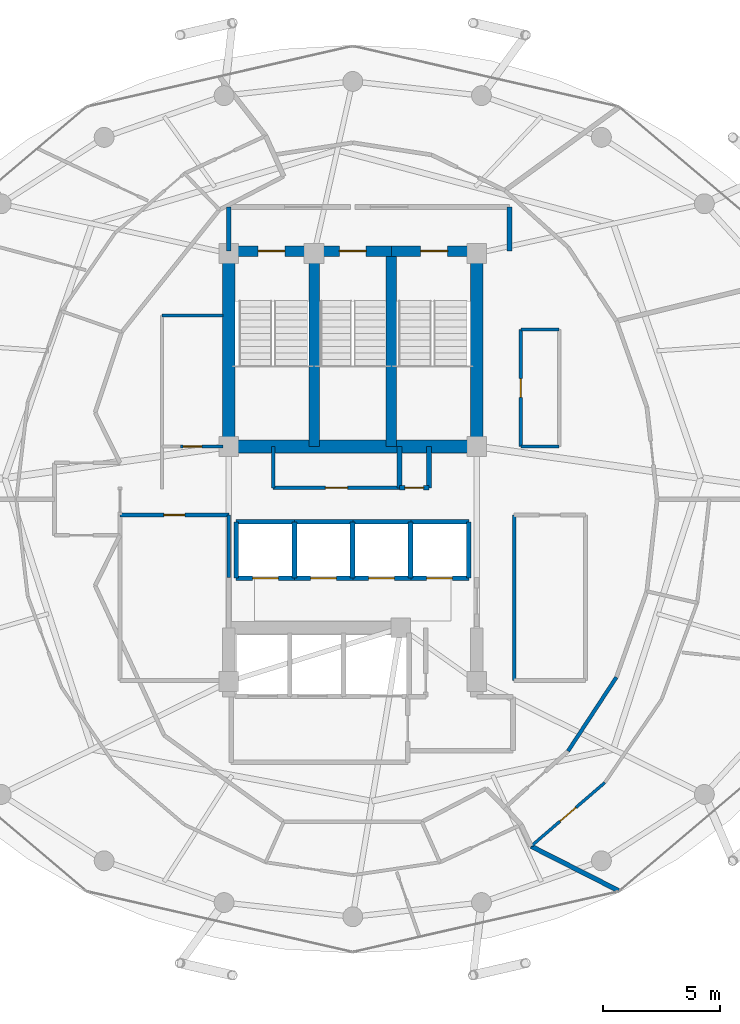
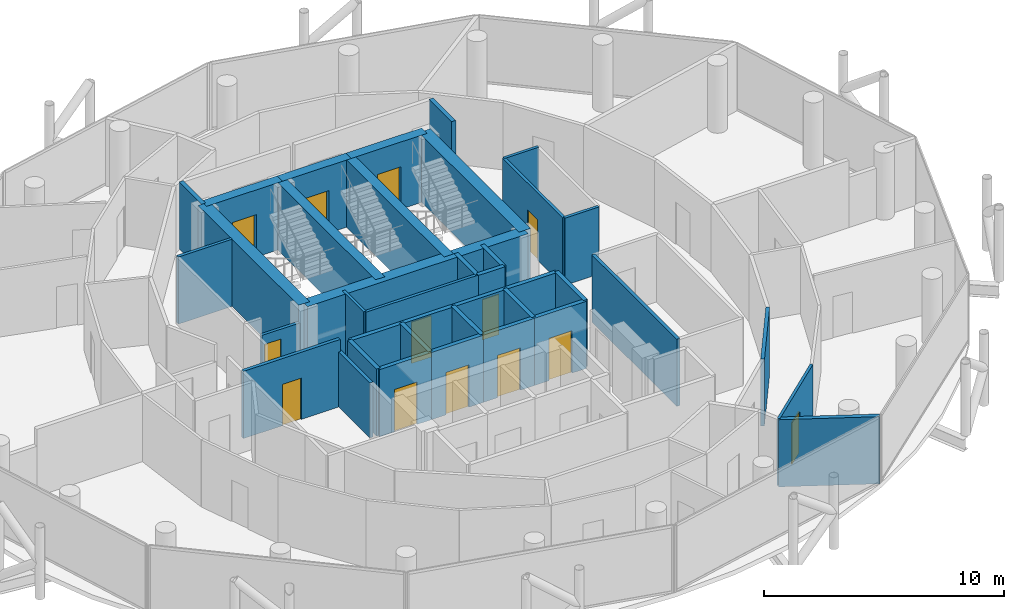
# One storey, part 24 of 27: 39 walls, 13 doors, 13 openings.
"""IFC4 building model written with IfcOpenShell, lengths in metres."""

import ifcopenshell
import ifcopenshell.guid

model = None  # the IFC model being written
_history = None  # IfcOwnerHistory: only IFC2X3 demands one
_inside = {}  # id of a spatial element -> (the spatial element, [elements in it])
_under = {}  # id of a project, library or spatial element -> (it, [spatial elements below it])
_declared = {}  # id of a project -> (the project, [libraries it declares])
_typed = {}  # id of a type object -> (the type object, [elements of that type])
_made_of = {}  # id of a material, layer set ... -> (it, [elements and type objects made of it])


def new_model(schema):
    """Start an empty IFC model of exactly this schema.

    Asked for "IFC4X3", IfcOpenShell would pick the latest addendum, in which some entities
    have other attributes; the version numbers below select the first issue.
    IFC2X3 requires an IfcOwnerHistory on every rooted entity: one is made here for all.
    """
    global model, _history
    if schema == "IFC4X3":
        model = ifcopenshell.file(schema_version=(4, 3, 0, 0))
    else:
        model = ifcopenshell.file(schema=schema)
    _inside.clear()
    _under.clear()
    _declared.clear()
    _typed.clear()
    _made_of.clear()
    _history = None
    if model.schema == "IFC2X3":
        org = make("IfcOrganization", Name="unknown")
        user = make(
            "IfcPersonAndOrganization",
            ThePerson=make("IfcPerson", FamilyName="unknown"),
            TheOrganization=org,
        )
        app = make(
            "IfcApplication",
            ApplicationDeveloper=org,
            Version="unknown",
            ApplicationFullName="unknown",
            ApplicationIdentifier="unknown",
        )
        _history = make(
            "IfcOwnerHistory",
            OwningUser=user,
            OwningApplication=app,
            ChangeAction="ADDED",
            CreationDate=0,
        )
    return model


def make(cls, **values):
    """One entity of the class cls with the attributes given. An attribute that is None is left unset."""
    return model.create_entity(
        cls, **{name: value for name, value in values.items() if value is not None}
    )


def rooted(cls, **values):
    """An entity with a GlobalId (a new one), such as an element, a storey or a relation."""
    return make(cls, GlobalId=ifcopenshell.guid.new(), OwnerHistory=_history, **values)


def si_unit(unit_type, name, prefix=None):
    """IfcSIUnit, for example si_unit("LENGTHUNIT", "METRE", prefix="MILLI")."""
    return make("IfcSIUnit", UnitType=unit_type, Prefix=prefix, Name=name)


def assignment(units):
    """IfcUnitAssignment: the units of a project."""
    return None if units is None else make("IfcUnitAssignment", Units=units)


def point(xyz):
    """IfcCartesianPoint."""
    return None if xyz is None else make("IfcCartesianPoint", Coordinates=xyz)


def direction(xyz):
    """IfcDirection."""
    return None if xyz is None else make("IfcDirection", DirectionRatios=xyz)


def frame(location, z_axis=None, x_axis=None):
    """IfcAxis2Placement3D, a coordinate frame: its origin and axes. An axis left out is left unset."""
    return make(
        "IfcAxis2Placement3D",
        Location=point(location),
        Axis=direction(z_axis),
        RefDirection=direction(x_axis),
    )


def frame_2d(location, x_axis=None):
    """IfcAxis2Placement2D, a coordinate frame in the plane: its origin and x axis."""
    return make(
        "IfcAxis2Placement2D", Location=point(location), RefDirection=direction(x_axis)
    )


def origin():
    """The frame at (0, 0, 0) with its axes left unset."""
    return frame((0.0, 0.0, 0.0))


def place(relative_to, where):
    """IfcLocalPlacement: puts the frame where relative to a parent placement (None: the world)."""
    return make(
        "IfcLocalPlacement", PlacementRelTo=relative_to, RelativePlacement=where
    )


def context(
    kind, dimensions, precision=None, world=None, true_north=None, identifier=None
):
    """IfcGeometricRepresentationContext, for example the 3D "Model" context."""
    return make(
        "IfcGeometricRepresentationContext",
        ContextIdentifier=identifier,
        ContextType=kind,
        CoordinateSpaceDimension=dimensions,
        Precision=precision,
        WorldCoordinateSystem=world,
        TrueNorth=true_north,
    )


def subcontext(parent, identifier, kind, view, scale=None):
    """IfcGeometricRepresentationSubContext, for example "Body" below "Model"."""
    return make(
        "IfcGeometricRepresentationSubContext",
        ContextIdentifier=identifier,
        ContextType=kind,
        ParentContext=parent,
        TargetScale=scale,
        TargetView=view,
    )


def project(units=None, contexts=None):
    """IfcProject with its units and contexts."""
    return rooted(
        "IfcProject",
        Name="project",
        RepresentationContexts=contexts,
        UnitsInContext=assignment(units),
    )


def spatial(cls, under=None, at=None, **own):
    """A site, building, storey or space (cls), placed at a placement, below another one or the project."""
    s = rooted(cls, ObjectPlacement=at, **own)
    if under is not None:
        _under.setdefault(under.id(), (under, []))[1].append(s)
    return s


def profile(cls, at=None, kind="AREA", **sizes):
    """A parametric profile (cls). Its sizes go by their IFC names, for example OverallWidth=200.0."""
    return make(cls, ProfileType=kind, Position=at, **sizes)


def rectangle(**sizes):
    """IfcRectangleProfileDef."""
    return profile("IfcRectangleProfileDef", **sizes)


def extrude(swept, where, along, depth):
    """IfcExtrudedAreaSolid: the profile swept, set in the frame where, extruded along a direction by depth."""
    return make(
        "IfcExtrudedAreaSolid",
        SweptArea=swept,
        Position=where,
        ExtrudedDirection=direction(along),
        Depth=depth,
    )


def shape(context_of_items, identifier, shape_type, items):
    """IfcShapeRepresentation: the items that make up one representation, for example the "Body"."""
    return make(
        "IfcShapeRepresentation",
        ContextOfItems=context_of_items,
        RepresentationIdentifier=identifier,
        RepresentationType=shape_type,
        Items=items,
    )


def material(Name=None, Category=None):
    """IfcMaterial."""
    return make("IfcMaterial", Name=Name, Category=Category)


def layer(
    of_material, thickness, ventilated=None, Name=None, Category=None, Priority=None
):
    """IfcMaterialLayer: one layer of a wall or slab, of a material (None: an air gap)."""
    return make(
        "IfcMaterialLayer",
        Material=of_material,
        LayerThickness=thickness,
        IsVentilated=ventilated,
        Name=Name,
        Category=Category,
        Priority=Priority,
    )


def layer_set(layers, Name=None):
    """IfcMaterialLayerSet."""
    return make("IfcMaterialLayerSet", MaterialLayers=layers, LayerSetName=Name)


def made_of(thing, what):
    """Note that an element or type object is made of a material, layer set ...; save() writes the relation."""
    if what is not None:
        _made_of.setdefault(what.id(), (what, []))[1].append(thing)
    return thing


def type_object(cls, material=None, **own):
    """A type object (cls), such as IfcWallType, which elements share."""
    return made_of(rooted(cls, **own), material)


def element(
    cls,
    number,
    at=None,
    inside=None,
    cuts=None,
    type_object=None,
    material=None,
    context=None,
    identifier="Body",
    shape_type=None,
    held_by="IfcProductDefinitionShape",
    body=None,
    shapes=None,
    **own,
):
    """One element of the class cls, such as IfcWall. Its Tag is "e" and its number.

    at: its placement. inside: the storey or other place that contains it. cuts: it is an
    opening in that element (IfcRelVoidsElement). A single representation is given by context,
    identifier, shape_type and body (its items); several are given by shapes. held_by: the class
    of the entity that holds the representations. save() writes the other relations.
    """
    e = rooted(cls, Tag="e%d" % number, ObjectPlacement=at, **own)
    if body is not None:
        shapes = [shape(context, identifier, shape_type, body)]
    if shapes is not None:
        e.Representation = make(held_by, Representations=shapes)
    if inside is not None:
        _inside.setdefault(inside.id(), (inside, []))[1].append(e)
    if cuts is not None:
        rooted(
            "IfcRelVoidsElement", RelatingBuildingElement=cuts, RelatedOpeningElement=e
        )
    if type_object is not None:
        _typed.setdefault(type_object.id(), (type_object, []))[1].append(e)
    return made_of(e, material)


def fill(opening, filler):
    """IfcRelFillsElement: the door or window that sits in an opening."""
    return rooted(
        "IfcRelFillsElement",
        RelatingOpeningElement=opening,
        RelatedBuildingElement=filler,
    )


def aggregate(whole, parts):
    """IfcRelAggregates: a whole, such as a stair, and the parts it consists of."""
    return rooted("IfcRelAggregates", RelatingObject=whole, RelatedObjects=parts)


def save(model, path):
    """Write the relations noted so far, then the file.

    IfcRelAggregates (storeys below a building ...), IfcRelContainedInSpatialStructure (elements
    in a storey), IfcRelDefinesByType, IfcRelAssociatesMaterial and IfcRelDeclares: one each for
    every whole, place, type object, material and project.
    """
    for whole, parts in _under.values():
        aggregate(whole, parts)
    for where, things in _inside.values():
        rooted(
            "IfcRelContainedInSpatialStructure",
            RelatedElements=things,
            RelatingStructure=where,
        )
    for kind, things in _typed.values():
        rooted("IfcRelDefinesByType", RelatedObjects=things, RelatingType=kind)
    for what, things in _made_of.values():
        rooted("IfcRelAssociatesMaterial", RelatedObjects=things, RelatingMaterial=what)
    for by, libraries in _declared.values():
        rooted("IfcRelDeclares", RelatingContext=by, RelatedDefinitions=libraries)
    model.write(path)


model = new_model("IFC4")

# Units and contexts
model_context = context("Model", 3, precision=1e-05, world=origin(), true_north=direction((0.0, 1.0)))
body_context = subcontext(model_context, "Body", "Model", "MODEL_VIEW")
ifc_project = project(units=[si_unit("LENGTHUNIT", "METRE"), si_unit("AREAUNIT", "SQUARE_METRE"), si_unit("VOLUMEUNIT", "CUBIC_METRE"), si_unit("PLANEANGLEUNIT", "RADIAN"), si_unit("MASSUNIT", "GRAM", prefix="KILO")], contexts=[model_context])

# Site, building, storey
site_placement = place(None, origin())
site = spatial("IfcSite", under=ifc_project, at=site_placement, CompositionType="ELEMENT")
building_placement = place(site_placement, origin())
building = spatial("IfcBuilding", under=site, at=building_placement, Name="Nuhasar Tower", CompositionType="ELEMENT")
storey_placement = place(building_placement, frame((0.0, 0.0, 219.10009765625)))
storey = spatial("IfcBuildingStorey", under=building, at=storey_placement, Name="L53", CompositionType="ELEMENT", Elevation=219.10009765625)

# Wall, opening, door
ifc_material_1 = material(Name="Concrete C50/60", Category="concrete")
ifc_layer_1 = layer(ifc_material_1, 0.449951171875)
ifc_layer_set_1 = layer_set([ifc_layer_1], Name="Concrete C50/60")
wall_type_1 = type_object("IfcWallType", Name="WL-CORE-450", PredefinedType="SHEAR", material=ifc_layer_set_1)
wall_1_placement = place(storey_placement, frame((37.35009765625, 37.39990234375, 0.0), z_axis=(0.0, 0.0, 1.0), x_axis=(-1.0, 0.0, 0.0)))
wall_1 = element("IfcWall", 1, at=wall_1_placement, inside=storey, type_object=wall_type_1, Name="L53 Stairwell Shear Wall ST01-N", PredefinedType="SHEAR", context=body_context, shape_type="SweptSolid", body=[
    extrude(rectangle(XDim=3.650146484375, YDim=0.449951171875, at=frame_2d((1.8251953125, 0.0))), origin(), (0.0, 0.0, 1.0), 3.409912109375),
])
opening_1_placement = place(wall_1_placement, frame((1.25, 0.0, 0.0)))
opening_1 = element("IfcOpeningElement", 2, at=opening_1_placement, cuts=wall_1, Name="Opening DS-01", PredefinedType="OPENING", context=body_context, shape_type="SweptSolid", body=[
    extrude(rectangle(XDim=1.14990234375, YDim=2.14990234375, at=frame_2d((0.574951171875, 1.074951171875))), frame((0.0, 0.23486328125, 0.0), z_axis=(0.0, -1.0, 0.0), x_axis=(1.0, 0.0, 0.0)), (0.0, 0.0, 1.0), 0.469970703125),
])
ifc_material_2 = material(Name="Steel S355", Category="steel")
door_type_1 = type_object("IfcDoorType", Name="DR-STAIR-FD120-1150", OperationType="NOTDEFINED", PredefinedType="DOOR", material=ifc_material_2)
door_1_placement = place(opening_1_placement, origin())
door_1 = element("IfcDoor", 3, at=door_1_placement, inside=storey, type_object=door_type_1, Name="L53 Exit Stair ST-01 Door", OperationType="SINGLE_SWING_RIGHT", OverallHeight=2.14990234375, OverallWidth=1.14990234375, PredefinedType="DOOR", context=body_context, shape_type="SweptSolid", body=[
    extrude(rectangle(XDim=1.14990234375, YDim=2.14990234375, at=frame_2d((0.574951171875, 1.074951171875))), frame((0.0, 0.02490234375, 0.0), z_axis=(0.0, -1.0, 0.0), x_axis=(1.0, 0.0, 0.0)), (0.0, 0.0, 1.0), 0.050048828125),
])
fill(opening_1, door_1)

# Wall
wall_2_placement = place(storey_placement, frame((37.35009765625, 29.050048828125, 0.0), z_axis=(0.0, 0.0, 1.0), x_axis=(0.0, 1.0, 0.0)))
element("IfcWall", 4, at=wall_2_placement, inside=storey, type_object=wall_type_1, Name="L53 Stairwell Shear Wall ST01-E", PredefinedType="SHEAR", context=body_context, shape_type="SweptSolid", body=[
    extrude(rectangle(XDim=8.349853515625, YDim=0.449951171875, at=frame_2d((4.1748046875, 0.0))), origin(), (0.0, 0.0, 1.0), 3.409912109375),
])

# Wall, opening, door
wall_3_placement = place(storey_placement, frame((40.64990234375, 37.39990234375, 0.0), z_axis=(0.0, 0.0, 1.0), x_axis=(-1.0, 0.0, 0.0)))
wall_3 = element("IfcWall", 5, at=wall_3_placement, inside=storey, type_object=wall_type_1, Name="L53 Stairwell Shear Wall ST03-N", PredefinedType="SHEAR", context=body_context, shape_type="SweptSolid", body=[
    extrude(rectangle(XDim=3.2998046875, YDim=0.449951171875, at=frame_2d((1.64990234375, 0.0))), origin(), (0.0, 0.0, 1.0), 3.409912109375),
])
opening_2_placement = place(wall_3_placement, frame((1.074951171875, 0.0, 0.0)))
opening_2 = element("IfcOpeningElement", 6, at=opening_2_placement, cuts=wall_3, Name="Opening DS-01", PredefinedType="OPENING", context=body_context, shape_type="SweptSolid", body=[
    extrude(rectangle(XDim=1.14990234375, YDim=2.14990234375, at=frame_2d((0.574951171875, 1.074951171875))), frame((0.0, 0.23486328125, 0.0), z_axis=(0.0, -1.0, 0.0), x_axis=(1.0, 0.0, 0.0)), (0.0, 0.0, 1.0), 0.469970703125),
])
door_2_placement = place(opening_2_placement, origin())
door_2 = element("IfcDoor", 7, at=door_2_placement, inside=storey, type_object=door_type_1, Name="L53 Exit Stair ST-03 Door", OperationType="SINGLE_SWING_RIGHT", OverallHeight=2.14990234375, OverallWidth=1.14990234375, PredefinedType="DOOR", context=body_context, shape_type="SweptSolid", body=[
    extrude(rectangle(XDim=1.14990234375, YDim=2.14990234375, at=frame_2d((0.574951171875, 1.074951171875))), frame((0.0, 0.02490234375, 0.0), z_axis=(0.0, -1.0, 0.0), x_axis=(1.0, 0.0, 0.0)), (0.0, 0.0, 1.0), 0.050048828125),
])
fill(opening_2, door_2)

# Wall
wall_4_placement = place(storey_placement, frame((40.64990234375, 29.050048828125, 0.0), z_axis=(0.0, 0.0, 1.0), x_axis=(0.0, 1.0, 0.0)))
element("IfcWall", 8, at=wall_4_placement, inside=storey, type_object=wall_type_1, Name="L53 Stairwell Shear Wall ST03-E", PredefinedType="SHEAR", context=body_context, shape_type="SweptSolid", body=[
    extrude(rectangle(XDim=8.349853515625, YDim=0.449951171875, at=frame_2d((4.1748046875, 0.0))), origin(), (0.0, 0.0, 1.0), 3.409912109375),
])

# Wall, opening, door
wall_5_placement = place(storey_placement, frame((44.300048828125, 37.39990234375, 0.0), z_axis=(0.0, 0.0, 1.0), x_axis=(-1.0, 0.0, 0.0)))
wall_5 = element("IfcWall", 9, at=wall_5_placement, inside=storey, type_object=wall_type_1, Name="L53 Stairwell Shear Wall ST02-N", PredefinedType="SHEAR", context=body_context, shape_type="SweptSolid", body=[
    extrude(rectangle(XDim=3.650146484375, YDim=0.449951171875, at=frame_2d((1.8251953125, 0.0))), origin(), (0.0, 0.0, 1.0), 3.409912109375),
])
opening_3_placement = place(wall_5_placement, frame((1.25, 0.0, 0.0)))
opening_3 = element("IfcOpeningElement", 10, at=opening_3_placement, cuts=wall_5, Name="Opening DS-01", PredefinedType="OPENING", context=body_context, shape_type="SweptSolid", body=[
    extrude(rectangle(XDim=1.14990234375, YDim=2.14990234375, at=frame_2d((0.574951171875, 1.074951171875))), frame((0.0, 0.23486328125, 0.0), z_axis=(0.0, -1.0, 0.0), x_axis=(1.0, 0.0, 0.0)), (0.0, 0.0, 1.0), 0.469970703125),
])
door_3_placement = place(opening_3_placement, origin())
door_3 = element("IfcDoor", 11, at=door_3_placement, inside=storey, type_object=door_type_1, Name="L53 Exit Stair ST-02 Door", OperationType="SINGLE_SWING_LEFT", OverallHeight=2.14990234375, OverallWidth=1.14990234375, PredefinedType="DOOR", context=body_context, shape_type="SweptSolid", body=[
    extrude(rectangle(XDim=1.14990234375, YDim=2.14990234375, at=frame_2d((0.574951171875, 1.074951171875))), frame((0.0, 0.02490234375, 0.0), z_axis=(0.0, -1.0, 0.0), x_axis=(1.0, 0.0, 0.0)), (0.0, 0.0, 1.0), 0.050048828125),
])
fill(opening_3, door_3)

# Walls
ifc_material_3 = material(Name="Concrete C55/67", Category="concrete")
ifc_layer_2 = layer(ifc_material_3, 0.550048828125)
ifc_layer_set_2 = layer_set([ifc_layer_2], Name="Concrete C55/67")
wall_type_2 = type_object("IfcWallType", Name="WL-CORE-550", PredefinedType="SHEAR", material=ifc_layer_set_2)
for number, where, z_axis, x_axis, name in (
    (12, (33.699951171875, 29.050048828125, 0.0), (0.0, 0.0, 1.0), (0.0, 1.0, 0.0), "L53 Core Shear Wall CW-NW CW-550"),
    (13, (44.300048828125, 29.050048828125, 0.0), (0.0, 0.0, 1.0), (0.0, 1.0, 0.0), "L53 Core Shear Wall CW-NE CW-550"),
):
    element("IfcWall", number, at=place(storey_placement, frame(where, z_axis=z_axis, x_axis=x_axis)), inside=storey, type_object=wall_type_2, Name=name, PredefinedType="SHEAR", context=body_context, shape_type="SweptSolid", body=[
        extrude(rectangle(XDim=8.349853515625, YDim=0.550048828125, at=frame_2d((4.1748046875, 0.0))), origin(), (0.0, 0.0, 1.0), 3.409912109375),
    ])
wall_6_placement = place(storey_placement, frame((33.699951171875, 29.050048828125, 0.0), z_axis=(0.0, 0.0, 1.0), x_axis=(1.0, 0.0, 0.0)))
element("IfcWall", 14, at=wall_6_placement, inside=storey, type_object=wall_type_2, Name="L53 Core Shear Wall CW-N1 CW-550", PredefinedType="SHEAR", context=body_context, shape_type="SweptSolid", body=[
    extrude(rectangle(XDim=10.60009765625, YDim=0.550048828125, at=frame_2d((5.300048828125, 0.0))), origin(), (0.0, 0.0, 1.0), 3.409912109375),
])
ifc_material_4 = material(Name="Gypsum Board", Category="gypsum")
ifc_layer_3 = layer(ifc_material_4, 0.159912109375)
ifc_layer_set_3 = layer_set([ifc_layer_3], Name="Gypsum Board")
wall_type_3 = type_object("IfcWallType", Name="WL-CORR-160", PredefinedType="PARTITIONING", material=ifc_layer_set_3)
wall_7_placement = place(storey_placement, frame((33.699951171875, 23.449951171875, 0.0), z_axis=(0.0, 0.0, 1.0), x_axis=(0.0, 1.0, 0.0)))
element("IfcWall", 15, at=wall_7_placement, inside=storey, type_object=wall_type_3, Name="L53 Interior Partition RECL-B1-E", PredefinedType="PARTITIONING", context=body_context, shape_type="SweptSolid", body=[
    extrude(rectangle(XDim=2.670166015625, YDim=0.159912109375, at=frame_2d((1.3349609375, 0.0))), origin(), (0.0, 0.0, 1.0), 2.794921875),
])

# Wall, opening, door
wall_8_placement = place(storey_placement, frame((33.699951171875, 26.1201171875, 0.0), z_axis=(0.0, 0.0, 1.0), x_axis=(-1.0, 0.0, 0.0)))
wall_8 = element("IfcWall", 16, at=wall_8_placement, inside=storey, type_object=wall_type_3, Name="L53 Interior Partition RECL-B1-N", PredefinedType="PARTITIONING", context=body_context, shape_type="SweptSolid", body=[
    extrude(rectangle(XDim=4.64990234375, YDim=0.159912109375, at=frame_2d((2.324951171875, 0.0))), origin(), (0.0, 0.0, 1.0), 3.409912109375),
])
opening_4_placement = place(wall_8_placement, frame((1.875, 0.0, 0.0)))
opening_4 = element("IfcOpeningElement", 17, at=opening_4_placement, cuts=wall_8, Name="Opening DR-01", PredefinedType="OPENING", context=body_context, shape_type="SweptSolid", body=[
    extrude(rectangle(XDim=0.89990234375, YDim=2.10009765625, at=frame_2d((0.449951171875, 1.050048828125))), frame((0.0, 0.08984375, 0.0), z_axis=(0.0, -1.0, 0.0), x_axis=(1.0, 0.0, 0.0)), (0.0, 0.0, 1.0), 0.179931640625),
])
ifc_material_5 = material(Name="Timber Oak", Category="wood")
door_type_2 = type_object("IfcDoorType", Name="DR-ROOM-900", OperationType="NOTDEFINED", PredefinedType="DOOR", material=ifc_material_5)
door_4_placement = place(opening_4_placement, origin())
door_4 = element("IfcDoor", 18, at=door_4_placement, inside=storey, type_object=door_type_2, Name="L53 Butler Store Door", OperationType="SINGLE_SWING_LEFT", OverallHeight=2.10009765625, OverallWidth=0.89990234375, PredefinedType="DOOR", context=body_context, shape_type="SweptSolid", body=[
    extrude(rectangle(XDim=0.89990234375, YDim=2.10009765625, at=frame_2d((0.449951171875, 1.050048828125))), frame((0.0, 0.02490234375, 0.0), z_axis=(0.0, -1.0, 0.0), x_axis=(1.0, 0.0, 0.0)), (0.0, 0.0, 1.0), 0.050048828125),
])
fill(opening_4, door_4)

# Walls
wall_9_placement = place(storey_placement, frame((45.89990234375, 19.050048828125, 0.0), z_axis=(0.0, 0.0, 1.0), x_axis=(0.0, 1.0, 0.0)))
element("IfcWall", 19, at=wall_9_placement, inside=storey, type_object=wall_type_3, Name="L53 Interior Partition RECL-B2-W", PredefinedType="PARTITIONING", context=body_context, shape_type="SweptSolid", body=[
    extrude(rectangle(XDim=7.070068359375, YDim=0.159912109375, at=frame_2d((3.53515625, 0.0))), origin(), (0.0, 0.0, 1.0), 3.409912109375),
])
wall_10_placement = place(storey_placement, frame((48.198974609375, 16.031005859375, 0.0), z_axis=(0.0, 0.0, 1.0), x_axis=(0.548335441843, 0.836258478712, 0.0)))
element("IfcWall", 20, at=wall_10_placement, inside=storey, type_object=wall_type_3, Name="L53 Interior Partition CORR-42", PredefinedType="PARTITIONING", context=body_context, shape_type="SweptSolid", body=[
    extrude(rectangle(XDim=3.771728515625, YDim=0.159912109375, at=frame_2d((1.8857421875, 0.0))), origin(), (0.0, 0.0, 1.0), 3.409912109375),
])
ifc_material_6 = material(Name="Concrete C45/55", Category="concrete")
ifc_layer_4 = layer(ifc_material_6, 0.199951171875)
ifc_layer_set_4 = layer_set([ifc_layer_4], Name="Concrete C45/55")
wall_type_4 = type_object("IfcWallType", Name="WL-LOBBY-200", PredefinedType="SOLIDWALL", material=ifc_layer_set_4)
for number, where, z_axis, x_axis, name in (
    (21, (33.699951171875, 37.39990234375, 0.0), (0.0, 0.0, 1.0), (0.0, 1.0, 0.0), "L53 Interior Partition NSL-W"),
    (22, (45.699951171875, 37.39990234375, 0.0), (0.0, 0.0, 1.0), (0.0, 1.0, 0.0), "L53 Interior Partition NSL-E"),
):
    element("IfcWall", number, at=place(storey_placement, frame(where, z_axis=z_axis, x_axis=x_axis)), inside=storey, type_object=wall_type_4, Name=name, PredefinedType="SOLIDWALL", context=body_context, shape_type="SweptSolid", body=[
        extrude(rectangle(XDim=1.880126953125, YDim=0.199951171875, at=frame_2d((0.93994140625, 0.0))), origin(), (0.0, 0.0, 1.0), 3.409912109375),
    ])

# Wall, opening, door
ifc_layer_5 = layer(ifc_material_4, 0.125)
ifc_layer_set_5 = layer_set([ifc_layer_5], Name="Gypsum Board")
wall_type_5 = type_object("IfcWallType", Name="WL-PART-125", PredefinedType="PARTITIONING", material=ifc_layer_set_5)
wall_11_placement = place(storey_placement, frame((49.77587890625, 14.68701171875, 0.0), z_axis=(0.0, 0.0, 1.0), x_axis=(-0.757239102967, -0.653137765665, 0.0)))
wall_11 = element("IfcWall", 23, at=wall_11_placement, inside=storey, type_object=wall_type_5, Name="L53 Interior Partition UMID-01-A-40", PredefinedType="PARTITIONING", context=body_context, shape_type="SweptSolid", body=[
    extrude(rectangle(XDim=4.16748046875, YDim=0.125, at=frame_2d((2.083740234375, 0.0))), origin(), (0.0, 0.0, 1.0), 3.409912109375),
])
opening_5_placement = place(wall_11_placement, frame((1.634033203125, 0.0, 0.0)))
opening_5 = element("IfcOpeningElement", 24, at=opening_5_placement, cuts=wall_11, Name="Opening DR-01", PredefinedType="OPENING", context=body_context, shape_type="SweptSolid", body=[
    extrude(rectangle(XDim=0.89990234375, YDim=2.10009765625, at=frame_2d((0.449951171875, 1.050048828125))), frame((0.0, 0.072509765625, 0.0), z_axis=(0.0, -1.0, 0.0), x_axis=(1.0, 0.0, 0.0)), (0.0, 0.0, 1.0), 0.14501953125),
])
door_5_placement = place(opening_5_placement, origin())
door_5 = element("IfcDoor", 25, at=door_5_placement, inside=storey, type_object=door_type_2, Name="L53 U01 Living Door", OperationType="SINGLE_SWING_LEFT", OverallHeight=2.10009765625, OverallWidth=0.89990234375, PredefinedType="DOOR", context=body_context, shape_type="SweptSolid", body=[
    extrude(rectangle(XDim=0.89990234375, YDim=2.10009765625, at=frame_2d((0.449951171875, 1.050048828125))), frame((0.0, 0.02490234375, 0.0), z_axis=(0.0, -1.0, 0.0), x_axis=(1.0, 0.0, 0.0)), (0.0, 0.0, 1.0), 0.050048828125),
])
fill(opening_5, door_5)

# Walls
ifc_layer_6 = layer(ifc_material_6, 0.199951171875)
ifc_layer_set_6 = layer_set([ifc_layer_6], Name="Concrete C45/55")
wall_type_6 = type_object("IfcWallType", Name="WL-SHAFT-200", PredefinedType="SOLIDWALL", material=ifc_layer_set_6)
for number, where, z_axis, x_axis, name in (
    (26, (41.0, 27.280029296875, 0.0), (0.0, 0.0, 1.0), (0.0, 1.0, 0.0), "L53 Interior Partition RSRN-W"),
    (27, (42.260009765625, 27.280029296875, 0.0), (0.0, 0.0, 1.0), (0.0, 1.0, 0.0), "L53 Interior Partition RSRN-E"),
):
    element("IfcWall", number, at=place(storey_placement, frame(where, z_axis=z_axis, x_axis=x_axis)), inside=storey, type_object=wall_type_6, Name=name, PredefinedType="SOLIDWALL", context=body_context, shape_type="SweptSolid", body=[
        extrude(rectangle(XDim=1.77001953125, YDim=0.199951171875, at=frame_2d((0.885009765625, 0.0))), origin(), (0.0, 0.0, 1.0), 3.409912109375),
    ])

# Wall, opening, door
wall_12_placement = place(storey_placement, frame((41.0, 27.280029296875, 0.0), z_axis=(0.0, 0.0, 1.0), x_axis=(1.0, 0.0, 0.0)))
wall_12 = element("IfcWall", 28, at=wall_12_placement, inside=storey, type_object=wall_type_6, Name="L53 Interior Partition RSRN-S", PredefinedType="SOLIDWALL", context=body_context, shape_type="SweptSolid", body=[
    extrude(rectangle(XDim=1.260009765625, YDim=0.199951171875, at=frame_2d((0.6298828125, 0.0))), origin(), (0.0, 0.0, 1.0), 3.409912109375),
])
opening_6_placement = place(wall_12_placement, frame((0.22998046875, 0.0, 0.0)))
opening_6 = element("IfcOpeningElement", 29, at=opening_6_placement, cuts=wall_12, Name="Opening DM-01", PredefinedType="OPENING", context=body_context, shape_type="SweptSolid", body=[
    extrude(rectangle(XDim=0.800048828125, YDim=2.050048828125, at=frame_2d((0.39990234375, 1.02490234375))), frame((0.0, 0.10986328125, 0.0), z_axis=(0.0, -1.0, 0.0), x_axis=(1.0, 0.0, 0.0)), (0.0, 0.0, 1.0), 0.219970703125),
])
door_type_3 = type_object("IfcDoorType", Name="DR-RISER-FD60-800", OperationType="NOTDEFINED", PredefinedType="DOOR", material=ifc_material_2)
door_6_placement = place(opening_6_placement, origin())
door_6 = element("IfcDoor", 30, at=door_6_placement, inside=storey, type_object=door_type_3, Name="L53 North Smoke Riser Door", OperationType="SINGLE_SWING_RIGHT", OverallHeight=2.050048828125, OverallWidth=0.800048828125, PredefinedType="DOOR", context=body_context, shape_type="SweptSolid", body=[
    extrude(rectangle(XDim=0.800048828125, YDim=2.050048828125, at=frame_2d((0.39990234375, 1.02490234375))), frame((0.0, 0.02490234375, 0.0), z_axis=(0.0, -1.0, 0.0), x_axis=(1.0, 0.0, 0.0)), (0.0, 0.0, 1.0), 0.050048828125),
])
fill(opening_6, door_6)

wall_13_placement = place(storey_placement, frame((34.02001953125, 23.419921875, 0.0), z_axis=(0.0, 0.0, 1.0), x_axis=(1.0, 0.0, 0.0)))
wall_13 = element("IfcWall", 31, at=wall_13_placement, inside=storey, type_object=wall_type_6, Name="L53 Interior Partition SHF-PL-H01-S", PredefinedType="SOLIDWALL", context=body_context, shape_type="SweptSolid", body=[
    extrude(rectangle(XDim=2.5, YDim=0.199951171875, at=frame_2d((1.25, 0.0))), origin(), (0.0, 0.0, 1.0), 3.409912109375),
])
opening_7_placement = place(wall_13_placement, frame((0.699951171875, 0.0, 0.0)))
opening_7 = element("IfcOpeningElement", 32, at=opening_7_placement, cuts=wall_13, Name="Opening LD-H01", PredefinedType="OPENING", context=body_context, shape_type="SweptSolid", body=[
    extrude(rectangle(XDim=1.10009765625, YDim=2.14990234375, at=frame_2d((0.550048828125, 1.074951171875))), frame((0.0, 0.10986328125, 0.0), z_axis=(0.0, -1.0, 0.0), x_axis=(1.0, 0.0, 0.0)), (0.0, 0.0, 1.0), 0.219970703125),
])
ifc_material_7 = material(Name="Stainless Steel 316L", Category="steel")
door_type_4 = type_object("IfcDoorType", Name="LD-PAX-1100", OperationType="DOUBLE_DOOR_SLIDING", PredefinedType="DOOR", material=ifc_material_7)
door_7_placement = place(opening_7_placement, origin())
door_7 = element("IfcDoor", 33, at=door_7_placement, inside=storey, type_object=door_type_4, Name="L53 Lift Landing Door PL-H01", OperationType="DOUBLE_DOOR_SLIDING", OverallHeight=2.14990234375, OverallWidth=1.10009765625, PredefinedType="DOOR", context=body_context, shape_type="SweptSolid", body=[
    extrude(rectangle(XDim=1.10009765625, YDim=2.14990234375, at=frame_2d((0.550048828125, 1.074951171875))), frame((0.0, 0.02490234375, 0.0), z_axis=(0.0, -1.0, 0.0), x_axis=(1.0, 0.0, 0.0)), (0.0, 0.0, 1.0), 0.050048828125),
])
fill(opening_7, door_7)

# Walls
wall_14_placement = place(storey_placement, frame((34.02001953125, 25.830078125, 0.0), z_axis=(0.0, 0.0, 1.0), x_axis=(1.0, 0.0, 0.0)))
element("IfcWall", 34, at=wall_14_placement, inside=storey, type_object=wall_type_6, Name="L53 Interior Partition SHF-PL-H01-N", PredefinedType="SOLIDWALL", context=body_context, shape_type="SweptSolid", body=[
    extrude(rectangle(XDim=2.5, YDim=0.199951171875, at=frame_2d((1.25, 0.0))), origin(), (0.0, 0.0, 1.0), 3.409912109375),
])
for number, where, z_axis, x_axis, name in (
    (35, (34.02001953125, 23.419921875, 0.0), (0.0, 0.0, 1.0), (0.0, 1.0, 0.0), "L53 Interior Partition SHF-PL-H01-W"),
    (36, (36.510009765625, 23.419921875, 0.0), (0.0, 0.0, 1.0), (0.0, 1.0, 0.0), "L53 Interior Partition SHF-PL-H01-E"),
):
    element("IfcWall", number, at=place(storey_placement, frame(where, z_axis=z_axis, x_axis=x_axis)), inside=storey, type_object=wall_type_6, Name=name, PredefinedType="SOLIDWALL", context=body_context, shape_type="SweptSolid", body=[
        extrude(rectangle(XDim=2.41015625, YDim=0.199951171875, at=frame_2d((1.205078125, 0.0))), origin(), (0.0, 0.0, 1.0), 3.409912109375),
    ])

# Wall, opening, door
wall_15_placement = place(storey_placement, frame((36.5, 23.419921875, 0.0), z_axis=(0.0, 0.0, 1.0), x_axis=(1.0, 0.0, 0.0)))
wall_15 = element("IfcWall", 37, at=wall_15_placement, inside=storey, type_object=wall_type_6, Name="L53 Interior Partition SHF-PL-H02-S", PredefinedType="SOLIDWALL", context=body_context, shape_type="SweptSolid", body=[
    extrude(rectangle(XDim=2.5, YDim=0.199951171875, at=frame_2d((1.25, 0.0))), origin(), (0.0, 0.0, 1.0), 3.409912109375),
])
opening_8_placement = place(wall_15_placement, frame((0.699951171875, 0.0, 0.0)))
opening_8 = element("IfcOpeningElement", 38, at=opening_8_placement, cuts=wall_15, Name="Opening LD-H02", PredefinedType="OPENING", context=body_context, shape_type="SweptSolid", body=[
    extrude(rectangle(XDim=1.10009765625, YDim=2.14990234375, at=frame_2d((0.550048828125, 1.074951171875))), frame((0.0, 0.10986328125, 0.0), z_axis=(0.0, -1.0, 0.0), x_axis=(1.0, 0.0, 0.0)), (0.0, 0.0, 1.0), 0.219970703125),
])
door_8_placement = place(opening_8_placement, origin())
door_8 = element("IfcDoor", 39, at=door_8_placement, inside=storey, type_object=door_type_4, Name="L53 Lift Landing Door PL-H02", OperationType="DOUBLE_DOOR_SLIDING", OverallHeight=2.14990234375, OverallWidth=1.10009765625, PredefinedType="DOOR", context=body_context, shape_type="SweptSolid", body=[
    extrude(rectangle(XDim=1.10009765625, YDim=2.14990234375, at=frame_2d((0.550048828125, 1.074951171875))), frame((0.0, 0.02490234375, 0.0), z_axis=(0.0, -1.0, 0.0), x_axis=(1.0, 0.0, 0.0)), (0.0, 0.0, 1.0), 0.050048828125),
])
fill(opening_8, door_8)

# Walls
wall_16_placement = place(storey_placement, frame((36.5, 25.830078125, 0.0), z_axis=(0.0, 0.0, 1.0), x_axis=(1.0, 0.0, 0.0)))
element("IfcWall", 40, at=wall_16_placement, inside=storey, type_object=wall_type_6, Name="L53 Interior Partition SHF-PL-H02-N", PredefinedType="SOLIDWALL", context=body_context, shape_type="SweptSolid", body=[
    extrude(rectangle(XDim=2.5, YDim=0.199951171875, at=frame_2d((1.25, 0.0))), origin(), (0.0, 0.0, 1.0), 3.409912109375),
])
wall_17_placement = place(storey_placement, frame((38.989990234375, 23.419921875, 0.0), z_axis=(0.0, 0.0, 1.0), x_axis=(0.0, 1.0, 0.0)))
element("IfcWall", 41, at=wall_17_placement, inside=storey, type_object=wall_type_6, Name="L53 Interior Partition SHF-PL-H02-E", PredefinedType="SOLIDWALL", context=body_context, shape_type="SweptSolid", body=[
    extrude(rectangle(XDim=2.41015625, YDim=0.199951171875, at=frame_2d((1.205078125, 0.0))), origin(), (0.0, 0.0, 1.0), 3.409912109375),
])

# Wall, opening, door
wall_18_placement = place(storey_placement, frame((38.97998046875, 23.419921875, 0.0), z_axis=(0.0, 0.0, 1.0), x_axis=(1.0, 0.0, 0.0)))
wall_18 = element("IfcWall", 42, at=wall_18_placement, inside=storey, type_object=wall_type_6, Name="L53 Interior Partition SHF-PL-H03-S", PredefinedType="SOLIDWALL", context=body_context, shape_type="SweptSolid", body=[
    extrude(rectangle(XDim=2.5, YDim=0.199951171875, at=frame_2d((1.25, 0.0))), origin(), (0.0, 0.0, 1.0), 3.409912109375),
])
opening_9_placement = place(wall_18_placement, frame((0.699951171875, 0.0, 0.0)))
opening_9 = element("IfcOpeningElement", 43, at=opening_9_placement, cuts=wall_18, Name="Opening LD-H03", PredefinedType="OPENING", context=body_context, shape_type="SweptSolid", body=[
    extrude(rectangle(XDim=1.10009765625, YDim=2.14990234375, at=frame_2d((0.550048828125, 1.074951171875))), frame((0.0, 0.10986328125, 0.0), z_axis=(0.0, -1.0, 0.0), x_axis=(1.0, 0.0, 0.0)), (0.0, 0.0, 1.0), 0.219970703125),
])
door_9_placement = place(opening_9_placement, origin())
door_9 = element("IfcDoor", 44, at=door_9_placement, inside=storey, type_object=door_type_4, Name="L53 Lift Landing Door PL-H03", OperationType="DOUBLE_DOOR_SLIDING", OverallHeight=2.14990234375, OverallWidth=1.10009765625, PredefinedType="DOOR", context=body_context, shape_type="SweptSolid", body=[
    extrude(rectangle(XDim=1.10009765625, YDim=2.14990234375, at=frame_2d((0.550048828125, 1.074951171875))), frame((0.0, 0.02490234375, 0.0), z_axis=(0.0, -1.0, 0.0), x_axis=(1.0, 0.0, 0.0)), (0.0, 0.0, 1.0), 0.050048828125),
])
fill(opening_9, door_9)

# Walls
wall_19_placement = place(storey_placement, frame((38.97998046875, 25.830078125, 0.0), z_axis=(0.0, 0.0, 1.0), x_axis=(1.0, 0.0, 0.0)))
element("IfcWall", 45, at=wall_19_placement, inside=storey, type_object=wall_type_6, Name="L53 Interior Partition SHF-PL-H03-N", PredefinedType="SOLIDWALL", context=body_context, shape_type="SweptSolid", body=[
    extrude(rectangle(XDim=2.5, YDim=0.199951171875, at=frame_2d((1.25, 0.0))), origin(), (0.0, 0.0, 1.0), 3.409912109375),
])
wall_20_placement = place(storey_placement, frame((41.469970703125, 23.419921875, 0.0), z_axis=(0.0, 0.0, 1.0), x_axis=(0.0, 1.0, 0.0)))
element("IfcWall", 46, at=wall_20_placement, inside=storey, type_object=wall_type_6, Name="L53 Interior Partition SHF-PL-H03-E", PredefinedType="SOLIDWALL", context=body_context, shape_type="SweptSolid", body=[
    extrude(rectangle(XDim=2.41015625, YDim=0.199951171875, at=frame_2d((1.205078125, 0.0))), origin(), (0.0, 0.0, 1.0), 3.409912109375),
])

# Wall, opening, door
wall_21_placement = place(storey_placement, frame((41.4599609375, 23.419921875, 0.0), z_axis=(0.0, 0.0, 1.0), x_axis=(1.0, 0.0, 0.0)))
wall_21 = element("IfcWall", 47, at=wall_21_placement, inside=storey, type_object=wall_type_6, Name="L53 Interior Partition SHF-PL-H04-S", PredefinedType="SOLIDWALL", context=body_context, shape_type="SweptSolid", body=[
    extrude(rectangle(XDim=2.5, YDim=0.199951171875, at=frame_2d((1.25, 0.0))), origin(), (0.0, 0.0, 1.0), 3.409912109375),
])
opening_10_placement = place(wall_21_placement, frame((0.699951171875, 0.0, 0.0)))
opening_10 = element("IfcOpeningElement", 48, at=opening_10_placement, cuts=wall_21, Name="Opening LD-H04", PredefinedType="OPENING", context=body_context, shape_type="SweptSolid", body=[
    extrude(rectangle(XDim=1.10009765625, YDim=2.14990234375, at=frame_2d((0.550048828125, 1.074951171875))), frame((0.0, 0.10986328125, 0.0), z_axis=(0.0, -1.0, 0.0), x_axis=(1.0, 0.0, 0.0)), (0.0, 0.0, 1.0), 0.219970703125),
])
door_10_placement = place(opening_10_placement, origin())
door_10 = element("IfcDoor", 49, at=door_10_placement, inside=storey, type_object=door_type_4, Name="L53 Lift Landing Door PL-H04", OperationType="DOUBLE_DOOR_SLIDING", OverallHeight=2.14990234375, OverallWidth=1.10009765625, PredefinedType="DOOR", context=body_context, shape_type="SweptSolid", body=[
    extrude(rectangle(XDim=1.10009765625, YDim=2.14990234375, at=frame_2d((0.550048828125, 1.074951171875))), frame((0.0, 0.02490234375, 0.0), z_axis=(0.0, -1.0, 0.0), x_axis=(1.0, 0.0, 0.0)), (0.0, 0.0, 1.0), 0.050048828125),
])
fill(opening_10, door_10)

# Walls
wall_22_placement = place(storey_placement, frame((41.4599609375, 25.830078125, 0.0), z_axis=(0.0, 0.0, 1.0), x_axis=(1.0, 0.0, 0.0)))
element("IfcWall", 50, at=wall_22_placement, inside=storey, type_object=wall_type_6, Name="L53 Interior Partition SHF-PL-H04-N", PredefinedType="SOLIDWALL", context=body_context, shape_type="SweptSolid", body=[
    extrude(rectangle(XDim=2.5, YDim=0.199951171875, at=frame_2d((1.25, 0.0))), origin(), (0.0, 0.0, 1.0), 3.409912109375),
])
wall_23_placement = place(storey_placement, frame((43.9599609375, 23.419921875, 0.0), z_axis=(0.0, 0.0, 1.0), x_axis=(0.0, 1.0, 0.0)))
element("IfcWall", 51, at=wall_23_placement, inside=storey, type_object=wall_type_6, Name="L53 Interior Partition SHF-PL-H04-E", PredefinedType="SOLIDWALL", context=body_context, shape_type="SweptSolid", body=[
    extrude(rectangle(XDim=2.41015625, YDim=0.199951171875, at=frame_2d((1.205078125, 0.0))), origin(), (0.0, 0.0, 1.0), 3.409912109375),
])
ifc_material_8 = material(Name="Concrete C40/50 precast", Category="concrete")
ifc_layer_7 = layer(ifc_material_8, 0.199951171875)
ifc_layer_set_7 = layer_set([ifc_layer_7], Name="Concrete C40/50 precast")
wall_type_7 = type_object("IfcWallType", Name="WL-UNIT-200", PredefinedType="PARTITIONING", material=ifc_layer_set_7)
wall_24_placement = place(storey_placement, frame((46.6201171875, 11.965087890625, 0.0), z_axis=(0.0, 0.0, 1.0), x_axis=(0.891582967948, -0.452857385129, 0.0)))
element("IfcWall", 52, at=wall_24_placement, inside=storey, type_object=wall_type_7, Name="L53 Interior Partition URAD-40-SW-S4", PredefinedType="PARTITIONING", context=body_context, shape_type="SweptSolid", body=[
    extrude(rectangle(XDim=4.197998046875, YDim=0.199951171875, at=frame_2d((2.09912109375, 0.0))), origin(), (0.0, 0.0, 1.0), 3.409912109375),
])
ifc_layer_8 = layer(ifc_material_8, 0.139892578125)
ifc_layer_set_8 = layer_set([ifc_layer_8], Name="Concrete C40/50 precast")
wall_type_8 = type_object("IfcWallType", Name="WL-WET-140", PredefinedType="PARTITIONING", material=ifc_layer_set_8)
wall_25_placement = place(storey_placement, frame((35.60009765625, 27.280029296875, 0.0), z_axis=(0.0, 0.0, 1.0), x_axis=(0.0, 1.0, 0.0)))
element("IfcWall", 53, at=wall_25_placement, inside=storey, type_object=wall_type_8, Name="L53 Interior Partition CSVC-W", PredefinedType="PARTITIONING", context=body_context, shape_type="SweptSolid", body=[
    extrude(rectangle(XDim=1.77001953125, YDim=0.139892578125, at=frame_2d((0.885009765625, 0.0))), origin(), (0.0, 0.0, 1.0), 3.409912109375),
])

# Wall, opening, door
wall_26_placement = place(storey_placement, frame((35.60009765625, 27.280029296875, 0.0), z_axis=(0.0, 0.0, 1.0), x_axis=(1.0, 0.0, 0.0)))
wall_26 = element("IfcWall", 54, at=wall_26_placement, inside=storey, type_object=wall_type_8, Name="L53 Interior Partition CSVC-S", PredefinedType="PARTITIONING", context=body_context, shape_type="SweptSolid", body=[
    extrude(rectangle(XDim=5.39990234375, YDim=0.139892578125, at=frame_2d((2.699951171875, 0.0))), origin(), (0.0, 0.0, 1.0), 3.409912109375),
])
opening_11_placement = place(wall_26_placement, frame((2.22509765625, 0.0, 0.0)))
opening_11 = element("IfcOpeningElement", 55, at=opening_11_placement, cuts=wall_26, Name="Opening DA-01", PredefinedType="OPENING", context=body_context, shape_type="SweptSolid", body=[
    extrude(rectangle(XDim=0.949951171875, YDim=2.10009765625, at=frame_2d((0.47509765625, 1.050048828125))), frame((0.0, 0.080078125, 0.0), z_axis=(0.0, -1.0, 0.0), x_axis=(1.0, 0.0, 0.0)), (0.0, 0.0, 1.0), 0.159912109375),
])
door_type_5 = type_object("IfcDoorType", Name="DR-ACCWC-950", OperationType="NOTDEFINED", PredefinedType="DOOR", material=ifc_material_5)
door_11_placement = place(opening_11_placement, origin())
door_11 = element("IfcDoor", 56, at=door_11_placement, inside=storey, type_object=door_type_5, Name="L53 Core Accessible Restroom Door", OperationType="SINGLE_SWING_LEFT", OverallHeight=2.10009765625, OverallWidth=0.949951171875, PredefinedType="DOOR", context=body_context, shape_type="SweptSolid", body=[
    extrude(rectangle(XDim=0.949951171875, YDim=2.10009765625, at=frame_2d((0.47509765625, 1.050048828125))), frame((0.0, 0.02490234375, 0.0), z_axis=(0.0, -1.0, 0.0), x_axis=(1.0, 0.0, 0.0)), (0.0, 0.0, 1.0), 0.050048828125),
])
fill(opening_11, door_11)

wall_27_placement = place(storey_placement, frame((31.6298828125, 29.050048828125, 0.0), z_axis=(0.0, 0.0, 1.0), x_axis=(1.0, 0.0, 0.0)))
wall_27 = element("IfcWall", 57, at=wall_27_placement, inside=storey, type_object=wall_type_8, Name="L53 Interior Partition K3-NW-S", PredefinedType="PARTITIONING", context=body_context, shape_type="SweptSolid", body=[
    extrude(rectangle(XDim=1.820068359375, YDim=0.139892578125, at=frame_2d((0.91015625, 0.0))), origin(), (0.0, 0.0, 1.0), 2.5498046875),
])
opening_12_placement = place(wall_27_placement, frame((0.1201171875, 0.0, 0.0)))
opening_12 = element("IfcOpeningElement", 58, at=opening_12_placement, cuts=wall_27, Name="Opening DM-01", PredefinedType="OPENING", context=body_context, shape_type="SweptSolid", body=[
    extrude(rectangle(XDim=0.800048828125, YDim=2.050048828125, at=frame_2d((0.39990234375, 1.02490234375))), frame((0.0, 0.080078125, 0.0), z_axis=(0.0, -1.0, 0.0), x_axis=(1.0, 0.0, 0.0)), (0.0, 0.0, 1.0), 0.159912109375),
])
door_12_placement = place(opening_12_placement, origin())
door_12 = element("IfcDoor", 59, at=door_12_placement, inside=storey, type_object=door_type_3, Name="L53 NW Electrical Room Door", OperationType="SINGLE_SWING_LEFT", OverallHeight=2.050048828125, OverallWidth=0.800048828125, PredefinedType="DOOR", context=body_context, shape_type="SweptSolid", body=[
    extrude(rectangle(XDim=0.800048828125, YDim=2.050048828125, at=frame_2d((0.39990234375, 1.02490234375))), frame((0.0, 0.02490234375, 0.0), z_axis=(0.0, -1.0, 0.0), x_axis=(1.0, 0.0, 0.0)), (0.0, 0.0, 1.0), 0.050048828125),
])
fill(opening_12, door_12)

# Wall
wall_28_placement = place(storey_placement, frame((30.85009765625, 34.64990234375, 0.0), z_axis=(0.0, 0.0, 1.0), x_axis=(1.0, 0.0, 0.0)))
element("IfcWall", 60, at=wall_28_placement, inside=storey, type_object=wall_type_8, Name="L53 Interior Partition K3-NW-N", PredefinedType="PARTITIONING", context=body_context, shape_type="SweptSolid", body=[
    extrude(rectangle(XDim=2.599853515625, YDim=0.139892578125, at=frame_2d((1.2998046875, 0.0))), origin(), (0.0, 0.0, 1.0), 3.409912109375),
])

# Wall, opening, door
wall_29_placement = place(storey_placement, frame((46.179931640625, 34.050048828125, 0.0), z_axis=(0.0, 0.0, 1.0), x_axis=(0.0, -1.0, 0.0)))
wall_29 = element("IfcWall", 61, at=wall_29_placement, inside=storey, type_object=wall_type_8, Name="L53 Interior Partition K3-NE-W", PredefinedType="PARTITIONING", context=body_context, shape_type="SweptSolid", body=[
    extrude(rectangle(XDim=5.0, YDim=0.139892578125, at=frame_2d((2.5, 0.0))), origin(), (0.0, 0.0, 1.0), 3.409912109375),
])
opening_13_placement = place(wall_29_placement, frame((2.10009765625, 0.0, 0.0)))
opening_13 = element("IfcOpeningElement", 62, at=opening_13_placement, cuts=wall_29, Name="Opening DM-01", PredefinedType="OPENING", context=body_context, shape_type="SweptSolid", body=[
    extrude(rectangle(XDim=0.800048828125, YDim=2.050048828125, at=frame_2d((0.39990234375, 1.02490234375))), frame((0.0, 0.080078125, 0.0), z_axis=(0.0, -1.0, 0.0), x_axis=(1.0, 0.0, 0.0)), (0.0, 0.0, 1.0), 0.159912109375),
])
door_13_placement = place(opening_13_placement, origin())
door_13 = element("IfcDoor", 63, at=door_13_placement, inside=storey, type_object=door_type_3, Name="L53 NE Switchgear Room Door", OperationType="SINGLE_SWING_RIGHT", OverallHeight=2.050048828125, OverallWidth=0.800048828125, PredefinedType="DOOR", context=body_context, shape_type="SweptSolid", body=[
    extrude(rectangle(XDim=0.800048828125, YDim=2.050048828125, at=frame_2d((0.39990234375, 1.02490234375))), frame((0.0, 0.02490234375, 0.0), z_axis=(0.0, -1.0, 0.0), x_axis=(1.0, 0.0, 0.0)), (0.0, 0.0, 1.0), 0.050048828125),
])
fill(opening_13, door_13)

# Walls
for number, where, z_axis, x_axis, name in (
    (64, (46.179931640625, 29.050048828125, 0.0), (0.0, 0.0, 1.0), (1.0, 0.0, 0.0), "L53 Interior Partition K3-NE-S"),
    (65, (46.179931640625, 34.050048828125, 0.0), (0.0, 0.0, 1.0), (1.0, 0.0, 0.0), "L53 Interior Partition K3-NE-N"),
):
    element("IfcWall", number, at=place(storey_placement, frame(where, z_axis=z_axis, x_axis=x_axis)), inside=storey, type_object=wall_type_8, Name=name, PredefinedType="PARTITIONING", context=body_context, shape_type="SweptSolid", body=[
        extrude(rectangle(XDim=1.64013671875, YDim=0.139892578125, at=frame_2d((0.820068359375, 0.0))), origin(), (0.0, 0.0, 1.0), 3.409912109375),
    ])

save(model, "model.ifc")
